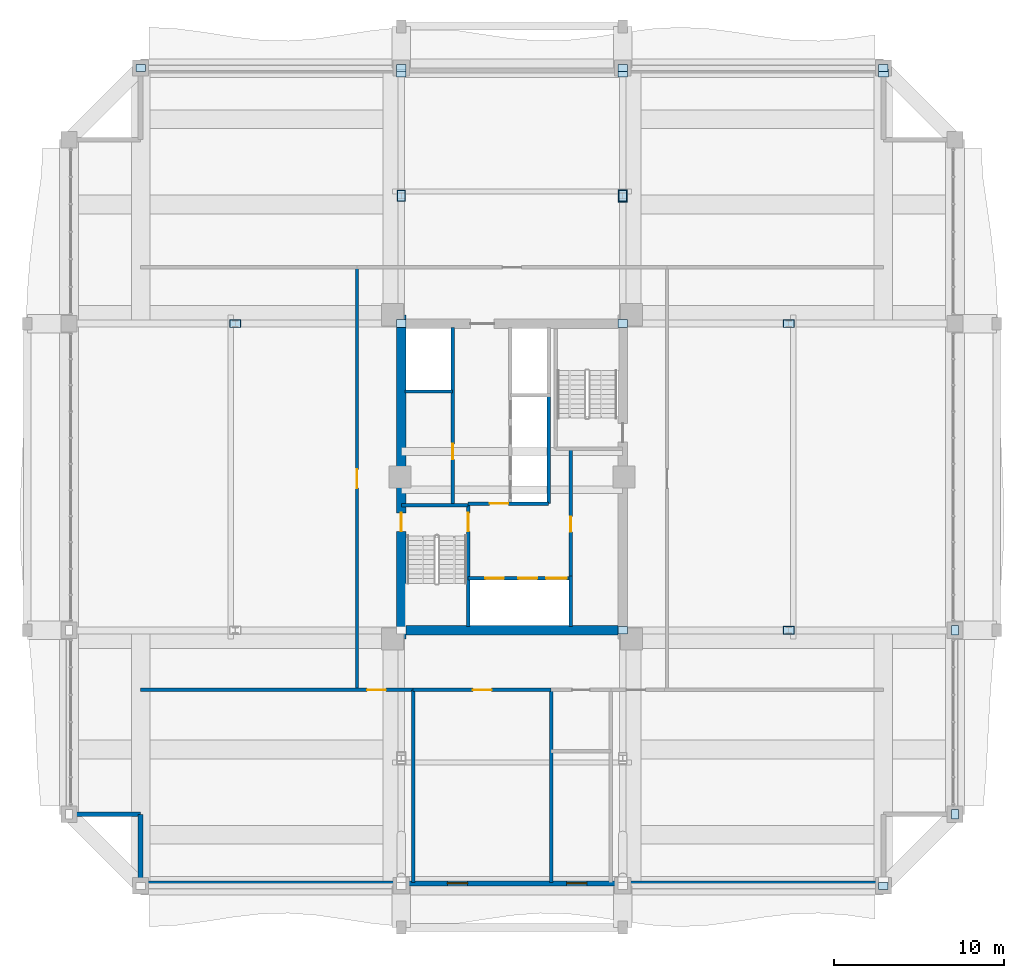
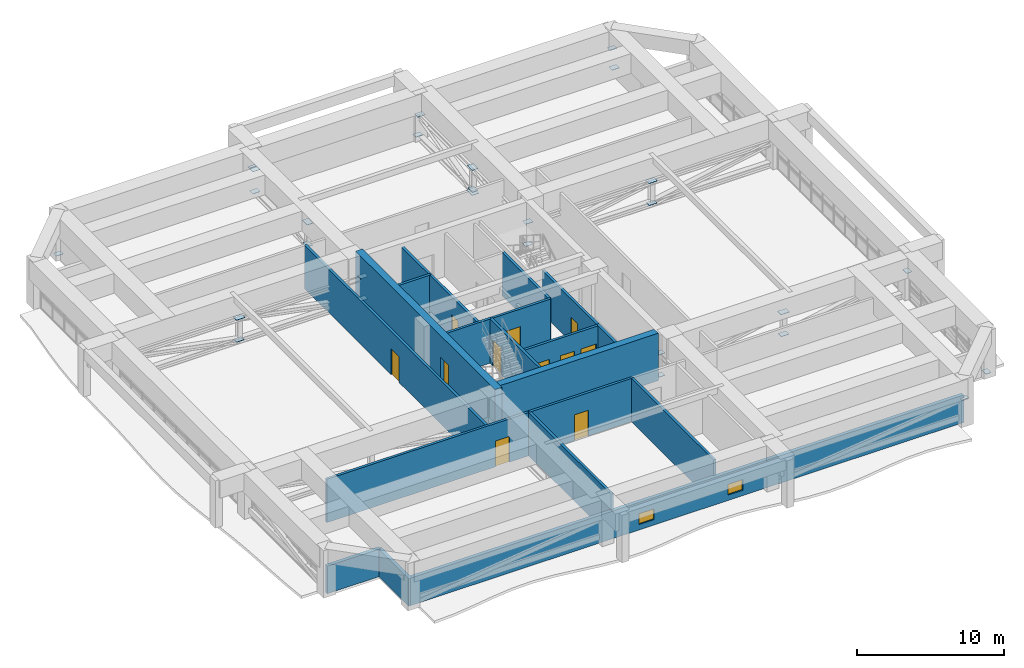
# One storey, part 28 of 35: 28 plates, 19 walls, 11 doors, 2 windows, 13 openings.
"""IFC4 building model written with IfcOpenShell, lengths in metres."""

from ifc_helpers import new_model, si_unit, direction, frame, frame_2d, origin, origin_2d, place, context, subcontext, project, spatial, rectangle, extrude, source, transform, mapped, material, layer, layer_set, type_object, element, fill, save


model = new_model("IFC4")

# Units and contexts
model_context = context("Model", 3, precision=1e-05, world=origin(), true_north=direction((0.0, 1.0)))
body_context = subcontext(model_context, "Body", "Model", "MODEL_VIEW")
ifc_project = project(units=[si_unit("LENGTHUNIT", "METRE"), si_unit("AREAUNIT", "SQUARE_METRE"), si_unit("VOLUMEUNIT", "CUBIC_METRE"), si_unit("PLANEANGLEUNIT", "RADIAN"), si_unit("MASSUNIT", "GRAM", prefix="KILO")], contexts=[model_context])

# Site, building, storey
site_placement = place(None, origin())
site = spatial("IfcSite", under=ifc_project, at=site_placement, CompositionType="ELEMENT")
building_placement = place(site_placement, origin())
building = spatial("IfcBuilding", under=site, at=building_placement, Name="Saelheon Loggia Tower", CompositionType="ELEMENT")
storey_placement = place(building_placement, frame((0.0, 0.0, 144.75)))
storey = spatial("IfcBuildingStorey", under=building, at=storey_placement, Name="L46", CompositionType="ELEMENT", Elevation=144.75)

# Plates
ifc_material_1 = material(Name="Steel SM355", Category="steel")
ifc_layer_1 = layer(ifc_material_1, 0.028076171875)
ifc_layer_set_1 = layer_set([ifc_layer_1], Name="Steel SM355")
plate_type_1 = type_object("IfcPlateType", Name="Plate_Gusset_GS1", PredefinedType="SHEET", material=ifc_layer_set_1)
shared_shape_1 = source(origin(), body_context, "Body", "SweptSolid", [
    extrude(rectangle(XDim=0.679931640625, YDim=0.47998046875, at=origin_2d()), origin(), (0.0, 0.0, 1.0), 0.028076171875),
])
for number, where, z_axis, x_axis, name in (
    (1, (31.5, 43.5, 2.05615234375), (0.0, 0.0, 1.0), (0.0, 1.0, 0.0), "L46 Outrigger Node Gusset NW-N"),
    (2, (44.5, 43.5, 2.05615234375), (0.0, 0.0, 1.0), (0.0, 1.0, 0.0), "L46 Outrigger Node Gusset NE-N"),
    (3, (21.75, 36.0, 2.05615234375), (0.0, 0.0, 1.0), (1.0, 0.0, 0.0), "L46 Outrigger Node Gusset NW-W"),
    (4, (54.25, 18.0, 2.05615234375), (0.0, 0.0, 1.0), (1.0, 0.0, 0.0), "L46 Outrigger Node Gusset SE-E"),
    (5, (54.25, 36.0, 2.05615234375), (0.0, 0.0, 1.0), (1.0, 0.0, 0.0), "L46 Outrigger Node Gusset NE-E"),
):
    element("IfcPlate", number, at=place(storey_placement, frame(where, z_axis=z_axis, x_axis=x_axis)), inside=storey, type_object=plate_type_1, Name=name, PredefinedType="SHEET", context=body_context, shape_type="MappedRepresentation", body=[
        mapped(shared_shape_1, transform((0.0, 0.0, 0.0), scale=1.0)),
    ])
ifc_layer_2 = layer(ifc_material_1, 0.031982421875)
ifc_layer_set_2 = layer_set([ifc_layer_2], Name="Steel SM355")
plate_type_2 = type_object("IfcPlateType", Name="Outrigger_BasePlate_BP2", PredefinedType="USERDEFINED", material=ifc_layer_set_2)
shared_shape_2 = source(origin(), body_context, "Body", "SweptSolid", [
    extrude(rectangle(XDim=0.760009765625, YDim=0.5400390625, at=origin_2d()), origin(), (0.0, 0.0, 1.0), 0.031982421875),
])
plate_placement = place(storey_placement, frame((44.5, 43.5, 0.0), z_axis=(0.0, 0.0, 1.0), x_axis=(0.0, 1.0, 0.0)))
element("IfcPlate", 6, at=plate_placement, inside=storey, type_object=plate_type_2, Name="L46 Outrigger Post Base Plate NE-N", ObjectType="BASE_PLATE", PredefinedType="USERDEFINED", context=body_context, shape_type="MappedRepresentation", body=[
    mapped(shared_shape_2, transform((0.0, 0.0, 0.0), scale=1.0)),
])
ifc_layer_3 = layer(ifc_material_1, 0.02587890625)
ifc_layer_set_3 = layer_set([ifc_layer_3], Name="Steel SM355")
plate_type_3 = type_object("IfcPlateType", Name="Plate_Embed_EP1", PredefinedType="SHEET", material=ifc_layer_set_3)
shared_shape_3 = source(origin(), body_context, "Body", "SweptSolid", [
    extrude(rectangle(XDim=0.580078125, YDim=0.4599609375, at=origin_2d()), origin(), (0.0, 0.0, 1.0), 0.02587890625),
])
for number, where, z_axis, x_axis, name in (
    (7, (44.5, 18.0, 0.20703125), (0.0, 0.0, 1.0), (1.0, 0.0, 0.0), "L46 Core Wall Outrigger Cast-In Embed Plate SE-B"),
    (8, (44.5, 18.0, 2.05712890625), (0.0, 0.0, 1.0), (1.0, 0.0, 0.0), "L46 Core Wall Outrigger Cast-In Embed Plate SE-T"),
    (9, (31.5, 36.0, 0.20703125), (0.0, 0.0, 1.0), (1.0, 0.0, 0.0), "L46 Core Wall Outrigger Cast-In Embed Plate NW-B"),
    (10, (31.5, 36.0, 2.05712890625), (0.0, 0.0, 1.0), (1.0, 0.0, 0.0), "L46 Core Wall Outrigger Cast-In Embed Plate NW-T"),
    (11, (44.5, 36.0, 0.20703125), (0.0, 0.0, 1.0), (1.0, 0.0, 0.0), "L46 Core Wall Outrigger Cast-In Embed Plate NE-B"),
    (12, (44.5, 36.0, 2.05712890625), (0.0, 0.0, 1.0), (1.0, 0.0, 0.0), "L46 Core Wall Outrigger Cast-In Embed Plate NE-T"),
    (13, (31.5, 50.719970703125, 0.20703125), (0.0, 0.0, 1.0), (1.0, 0.0, 0.0), "L46 Perimeter Wall Outrigger Embed Plate NW-B"),
    (14, (44.5, 50.719970703125, 2.05712890625), (0.0, 0.0, 1.0), (1.0, 0.0, 0.0), "L46 Perimeter Wall Outrigger Embed Plate NE-T"),
    (15, (31.5, 50.719970703125, 2.05712890625), (0.0, 0.0, 1.0), (1.0, 0.0, 0.0), "L46 Perimeter Wall Outrigger Embed Plate NW-T"),
    (16, (59.800048828125, 50.719970703125, 0.607177734375), (0.0, 0.0, 1.0), (1.0, 0.0, 0.0), "L46 Perimeter Wall Outrigger Embed Plate BN2-E"),
):
    element("IfcPlate", number, at=place(storey_placement, frame(where, z_axis=z_axis, x_axis=x_axis)), inside=storey, type_object=plate_type_3, Name=name, PredefinedType="SHEET", context=body_context, shape_type="MappedRepresentation", body=[
        mapped(shared_shape_3, transform((0.0, 0.0, 0.0), scale=1.0)),
    ])
ifc_layer_4 = layer(ifc_material_1, 0.02490234375)
ifc_layer_set_4 = layer_set([ifc_layer_4], Name="Steel SM355")
plate_type_4 = type_object("IfcPlateType", Name="Plate_EndCap_FP1", PredefinedType="USERDEFINED", material=ifc_layer_set_4)
shared_shape_4 = source(origin(), body_context, "Body", "SweptSolid", [
    extrude(rectangle(XDim=0.56005859375, YDim=0.419921875, at=origin_2d()), origin(), (0.0, 0.0, 1.0), 0.02490234375),
])
for number, where, z_axis, x_axis, name in (
    (17, (59.800048828125, 3.0, 2.0576171875), (0.0, 0.0, 1.0), (1.0, 0.0, 0.0), "L46 Hollow End Cap Plate BS2 B"),
    (18, (16.199951171875, 51.0, 0.20751953125), (0.0, 0.0, 1.0), (1.0, 0.0, 0.0), "L46 Hollow End Cap Plate BN1 A"),
    (19, (31.5, 51.0, 2.0576171875), (0.0, 0.0, 1.0), (1.0, 0.0, 0.0), "L46 Hollow End Cap Plate BN1 B"),
    (20, (44.5, 51.0, 0.20751953125), (0.0, 0.0, 1.0), (1.0, 0.0, 0.0), "L46 Hollow End Cap Plate BN2 A"),
    (21, (59.800048828125, 51.0, 2.0576171875), (0.0, 0.0, 1.0), (1.0, 0.0, 0.0), "L46 Hollow End Cap Plate BN2 B"),
    (22, (64.0, 7.199951171875, 0.20751953125), (0.0, 0.0, 1.0), (0.0, 1.0, 0.0), "L46 Hollow End Cap Plate BE1 A"),
    (23, (64.0, 18.0, 2.0576171875), (0.0, 0.0, 1.0), (0.0, 1.0, 0.0), "L46 Hollow End Cap Plate BE1 B"),
):
    element("IfcPlate", number, at=place(storey_placement, frame(where, z_axis=z_axis, x_axis=x_axis)), inside=storey, type_object=plate_type_4, Name=name, ObjectType="FLANGE_PLATE", PredefinedType="USERDEFINED", context=body_context, shape_type="MappedRepresentation", body=[
        mapped(shared_shape_4, transform((0.0, 0.0, 0.0), scale=1.0)),
    ])
ifc_layer_5 = layer(ifc_material_1, 0.030029296875)
ifc_layer_set_5 = layer_set([ifc_layer_5], Name="Steel SM355")
plate_type_5 = type_object("IfcPlateType", Name="Plate_Splice_SP2", PredefinedType="USERDEFINED", material=ifc_layer_set_5)
shared_shape_5 = source(origin(), body_context, "Body", "SweptSolid", [
    extrude(rectangle(XDim=0.6201171875, YDim=0.43994140625, at=origin_2d()), origin(), (0.0, 0.0, 1.0), 0.030029296875),
])
for number, where, z_axis, x_axis, name in (
    (24, (31.5, 43.5, 0.205078125), (0.0, 0.0, 1.0), (0.0, 1.0, 0.0), "L46 Outrigger Stiffener Plate NW-N"),
    (25, (44.5, 43.5, 0.205078125), (0.0, 0.0, 1.0), (0.0, 1.0, 0.0), "L46 Outrigger Stiffener Plate NE-N"),
    (26, (21.75, 36.0, 0.205078125), (0.0, 0.0, 1.0), (1.0, 0.0, 0.0), "L46 Outrigger Stiffener Plate NW-W"),
    (27, (54.25, 18.0, 0.205078125), (0.0, 0.0, 1.0), (1.0, 0.0, 0.0), "L46 Outrigger Stiffener Plate SE-E"),
    (28, (54.25, 36.0, 0.205078125), (0.0, 0.0, 1.0), (1.0, 0.0, 0.0), "L46 Outrigger Stiffener Plate NE-E"),
):
    element("IfcPlate", number, at=place(storey_placement, frame(where, z_axis=z_axis, x_axis=x_axis)), inside=storey, type_object=plate_type_5, Name=name, ObjectType="STIFFENER_PLATE", PredefinedType="USERDEFINED", context=body_context, shape_type="MappedRepresentation", body=[
        mapped(shared_shape_5, transform((0.0, 0.0, 0.0), scale=1.0)),
    ])

# Wall, opening, door
ifc_material_2 = material(Name="Concrete C50/60", Category="concrete")
ifc_layer_6 = layer(ifc_material_2, 0.550048828125)
ifc_layer_set_6 = layer_set([ifc_layer_6], Name="Concrete C50/60")
wall_type_1 = type_object("IfcWallType", Name="Wall_CoreShear_550", PredefinedType="SHEAR", material=ifc_layer_set_6)
wall_1_placement = place(storey_placement, frame((31.5, 17.47998046875, 0.0), z_axis=(0.0, 0.0, 1.0), x_axis=(0.0, 1.0, 0.0)))
wall_1 = element("IfcWall", 29, at=wall_1_placement, inside=storey, type_object=wall_type_1, Name="L46 Core Shear Wall West", PredefinedType="SHEAR", context=body_context, shape_type="SweptSolid", body=[
    extrude(rectangle(XDim=19.0400390625, YDim=0.550048828125, at=frame_2d((9.52001953125, 0.0))), origin(), (0.0, 0.0, 1.0), 3.949951171875),
])
opening_1_placement = place(wall_1_placement, frame((6.320068359375, 0.0, 0.0)))
opening_1 = element("IfcOpeningElement", 30, at=opening_1_placement, cuts=wall_1, Name="Opening D-FD2", PredefinedType="OPENING", context=body_context, shape_type="SweptSolid", body=[
    extrude(rectangle(XDim=1.10009765625, YDim=2.14990234375, at=frame_2d((0.550048828125, 1.074951171875))), frame((0.0, 0.287109375, 0.0), z_axis=(0.0, -1.0, 0.0), x_axis=(1.0, 0.0, 0.0)), (0.0, 0.0, 1.0), 0.573974609375),
])
ifc_material_3 = material(Name="Galvanised Steel Fire Door", Category="steel")
door_type_1 = type_object("IfcDoorType", Name="Door_Fire_FD60_1100", OperationType="NOTDEFINED", PredefinedType="DOOR", material=ifc_material_3)
shared_shape_6 = source(origin(), body_context, "Body", "SweptSolid", [
    extrude(rectangle(XDim=1.10009765625, YDim=2.14990234375, at=frame_2d((0.550048828125, 1.074951171875))), frame((0.0, 0.02490234375, 0.0), z_axis=(0.0, -1.0, 0.0), x_axis=(1.0, 0.0, 0.0)), (0.0, 0.0, 1.0), 0.050048828125),
])
door_1_placement = place(opening_1_placement, origin())
door_1 = element("IfcDoor", 31, at=door_1_placement, inside=storey, type_object=door_type_1, Name="L46 Stair ST1 Corridor Door", OperationType="SINGLE_SWING_LEFT", OverallHeight=2.14990234375, OverallWidth=1.10009765625, PredefinedType="DOOR", context=body_context, shape_type="MappedRepresentation", body=[
    mapped(shared_shape_6, transform((0.0, 0.0, 0.0), scale=1.0)),
])
fill(opening_1, door_1)

# Wall
wall_2_placement = place(storey_placement, frame((31.77490234375, 18.0, 0.0), z_axis=(0.0, 0.0, 1.0), x_axis=(1.0, 0.0, 0.0)))
element("IfcWall", 32, at=wall_2_placement, inside=storey, type_object=wall_type_1, Name="L46 Core Shear Wall South", PredefinedType="SHEAR", context=body_context, shape_type="SweptSolid", body=[
    extrude(rectangle(XDim=12.4501953125, YDim=0.550048828125, at=frame_2d((6.22509765625, 0.0))), origin(), (0.0, 0.0, 1.0), 3.949951171875),
])

# Wall, openings, windows
ifc_material_4 = material(Name="Architectural Precast Concrete C40/50", Category="concrete")
ifc_layer_7 = layer(ifc_material_4, 0.280029296875)
ifc_layer_set_7 = layer_set([ifc_layer_7], Name="Architectural Precast Concrete C40/50")
wall_type_2 = type_object("IfcWallType", Name="Wall_Ext_Loggia_280", PredefinedType="SOLIDWALL", material=ifc_layer_set_7)
wall_3_placement = place(storey_placement, frame((16.199951171875, 3.139892578125, 0.0), z_axis=(0.0, 0.0, 1.0), x_axis=(1.0, 0.0, 0.0)))
wall_3 = element("IfcWall", 33, at=wall_3_placement, inside=storey, type_object=wall_type_2, Name="L46 Refuge South Wall", PredefinedType="SOLIDWALL", context=body_context, shape_type="SweptSolid", body=[
    extrude(rectangle(XDim=43.60009765625, YDim=0.280029296875, at=frame_2d((21.800048828125, 0.0))), origin(), (0.0, 0.0, 1.0), 2.2900390625),
])
opening_2_placement = place(wall_3_placement, frame((18.0, 0.0, 0.449951171875)))
opening_2 = element("IfcOpeningElement", 34, at=opening_2_placement, cuts=wall_3, Name="Opening WN-07", PredefinedType="OPENING", context=body_context, shape_type="SweptSolid", body=[
    extrude(rectangle(XDim=1.199951171875, YDim=0.89990234375, at=frame_2d((0.60009765625, 0.449951171875))), frame((0.0, 0.152099609375, 0.0), z_axis=(0.0, -1.0, 0.0), x_axis=(1.0, 0.0, 0.0)), (0.0, 0.0, 1.0), 0.303955078125),
])
opening_3_placement = place(wall_3_placement, frame((25.0, 0.0, 0.449951171875)))
opening_3 = element("IfcOpeningElement", 35, at=opening_3_placement, cuts=wall_3, Name="Opening WN-07", PredefinedType="OPENING", context=body_context, shape_type="SweptSolid", body=[
    extrude(rectangle(XDim=1.199951171875, YDim=0.89990234375, at=frame_2d((0.60009765625, 0.449951171875))), frame((0.0, 0.152099609375, 0.0), z_axis=(0.0, -1.0, 0.0), x_axis=(1.0, 0.0, 0.0)), (0.0, 0.0, 1.0), 0.303955078125),
])
ifc_material_5 = material(Name="Thermal-Break Aluminium and Triple Low-E Glass", Category="aluminium")
window_type = type_object("IfcWindowType", Name="Win_Clerestory_1200x900", PartitioningType="SINGLE_PANEL", PredefinedType="WINDOW", material=ifc_material_5)
shared_shape_7 = source(origin(), body_context, "Body", "SweptSolid", [
    extrude(rectangle(XDim=1.199951171875, YDim=0.89990234375, at=frame_2d((0.60009765625, 0.449951171875))), frame((0.0, 0.030029296875, 0.0), z_axis=(0.0, -1.0, 0.0), x_axis=(1.0, 0.0, 0.0)), (0.0, 0.0, 1.0), 0.06005859375),
])
window_1_placement = place(opening_2_placement, origin())
window_1 = element("IfcWindow", 36, at=window_1_placement, inside=storey, type_object=window_type, Name="L46 Refuge Area Window 1", OverallHeight=0.89990234375, OverallWidth=1.199951171875, PartitioningType="SINGLE_PANEL", PredefinedType="WINDOW", context=body_context, shape_type="MappedRepresentation", body=[
    mapped(shared_shape_7, transform((0.0, 0.0, 0.0), scale=1.0)),
])
fill(opening_2, window_1)
window_2_placement = place(opening_3_placement, origin())
window_2 = element("IfcWindow", 37, at=window_2_placement, inside=storey, type_object=window_type, Name="L46 Refuge Area Window 2", OverallHeight=0.89990234375, OverallWidth=1.199951171875, PartitioningType="SINGLE_PANEL", PredefinedType="WINDOW", context=body_context, shape_type="MappedRepresentation", body=[
    mapped(shared_shape_7, transform((0.0, 0.0, 0.0), scale=1.0)),
])
fill(opening_3, window_2)

# Walls
for number, where, z_axis, x_axis, name in (
    (38, (16.199951171875, 3.0, 0.0), (0.0, 0.0, 1.0), (0.0, 1.0, 0.0), "L46 Notch Wall SW1"),
    (39, (12.0, 7.199951171875, 0.0), (0.0, 0.0, 1.0), (1.0, 0.0, 0.0), "L46 Notch Wall SW2"),
):
    element("IfcWall", number, at=place(storey_placement, frame(where, z_axis=z_axis, x_axis=x_axis)), inside=storey, type_object=wall_type_2, Name=name, PredefinedType="SOLIDWALL", context=body_context, shape_type="SweptSolid", body=[
        extrude(rectangle(XDim=4.199951171875, YDim=0.280029296875, at=frame_2d((2.10009765625, 0.0))), origin(), (0.0, 0.0, 1.0), 2.2900390625),
    ])
ifc_material_6 = material(Name="Concrete C40/50", Category="concrete")
ifc_layer_8 = layer(ifc_material_6, 0.199951171875)
ifc_layer_set_8 = layer_set([ifc_layer_8], Name="Concrete C40/50")
wall_type_3 = type_object("IfcWallType", Name="Wall_Shaft_200", PredefinedType="PARTITIONING", material=ifc_layer_set_8)
wall_4_placement = place(storey_placement, frame((41.449951171875, 18.219970703125, 0.0), z_axis=(0.0, 0.0, 1.0), x_axis=(0.0, 1.0, 0.0)))
element("IfcWall", 40, at=wall_4_placement, inside=storey, type_object=wall_type_3, Name="CW-INT-L46-BOH-W0", PredefinedType="PARTITIONING", context=body_context, shape_type="SweptSolid", body=[
    extrude(rectangle(XDim=2.9599609375, YDim=0.199951171875, at=frame_2d((1.47998046875, 0.0))), origin(), (0.0, 0.0, 1.0), 3.610107421875),
])

# Wall, opening, door
wall_5_placement = place(storey_placement, frame((41.449951171875, 21.179931640625, 0.0), z_axis=(0.0, 0.0, 1.0), x_axis=(0.0, 1.0, 0.0)))
wall_5 = element("IfcWall", 41, at=wall_5_placement, inside=storey, type_object=wall_type_3, Name="CW-INT-L46-BOH-W1", PredefinedType="PARTITIONING", context=body_context, shape_type="SweptSolid", body=[
    extrude(rectangle(XDim=7.420166015625, YDim=0.199951171875, at=frame_2d((3.7099609375, 0.0))), origin(), (0.0, 0.0, 1.0), 3.610107421875),
])
opening_4_placement = place(wall_5_placement, frame((2.60009765625, 0.0, 0.0)))
opening_4 = element("IfcOpeningElement", 42, at=opening_4_placement, cuts=wall_5, Name="Opening D-RS1", PredefinedType="OPENING", context=body_context, shape_type="SweptSolid", body=[
    extrude(rectangle(XDim=0.89990234375, YDim=2.10009765625, at=frame_2d((0.449951171875, 1.050048828125))), frame((0.0, 0.112060546875, 0.0), z_axis=(0.0, -1.0, 0.0), x_axis=(1.0, 0.0, 0.0)), (0.0, 0.0, 1.0), 0.223876953125),
])
ifc_material_7 = material(Name="Galvanised Steel Riser Access Door", Category="steel")
door_type_2 = type_object("IfcDoorType", Name="Door_Riser_FD60", OperationType="NOTDEFINED", PredefinedType="DOOR", material=ifc_material_7)
shared_shape_8 = source(origin(), body_context, "Body", "SweptSolid", [
    extrude(rectangle(XDim=0.89990234375, YDim=2.10009765625, at=frame_2d((0.449951171875, 1.050048828125))), frame((0.0, 0.02490234375, 0.0), z_axis=(0.0, -1.0, 0.0), x_axis=(1.0, 0.0, 0.0)), (0.0, 0.0, 1.0), 0.050048828125),
])
door_2_placement = place(opening_4_placement, origin())
door_2 = element("IfcDoor", 43, at=door_2_placement, inside=storey, type_object=door_type_2, Name="L46 Core Service Store Door", OperationType="SINGLE_SWING_RIGHT", OverallHeight=2.10009765625, OverallWidth=0.89990234375, PredefinedType="DOOR", context=body_context, shape_type="MappedRepresentation", body=[
    mapped(shared_shape_8, transform((0.0, 0.0, 0.0), scale=1.0)),
])
fill(opening_4, door_2)

# Wall
wall_6_placement = place(storey_placement, frame((40.14990234375, 25.43994140625, 0.0), z_axis=(0.0, 0.0, 1.0), x_axis=(0.0, 1.0, 0.0)))
element("IfcWall", 44, at=wall_6_placement, inside=storey, type_object=wall_type_3, Name="L46 Core Service Passage West Wall", PredefinedType="PARTITIONING", context=body_context, shape_type="SweptSolid", body=[
    extrude(rectangle(XDim=6.360107421875, YDim=0.199951171875, at=frame_2d((3.18017578125, 0.0))), origin(), (0.0, 0.0, 1.0), 3.610107421875),
])

# Wall, openings, doors
wall_7_placement = place(storey_placement, frame((35.429931640625, 21.06005859375, 0.0), z_axis=(0.0, 0.0, 1.0), x_axis=(1.0, 0.0, 0.0)))
wall_7 = element("IfcWall", 45, at=wall_7_placement, inside=storey, type_object=wall_type_3, Name="L46 Firefighting Lift Shaft Front Wall", PredefinedType="PARTITIONING", context=body_context, shape_type="SweptSolid", body=[
    extrude(rectangle(XDim=6.02001953125, YDim=0.199951171875, at=frame_2d((3.010009765625, 0.0))), origin(), (0.0, 0.0, 1.0), 3.610107421875),
])
opening_5_placement = place(wall_7_placement, frame((1.0, 0.0, 0.0)))
opening_5 = element("IfcOpeningElement", 46, at=opening_5_placement, cuts=wall_7, Name="Opening LD2", PredefinedType="OPENING", context=body_context, shape_type="SweptSolid", body=[
    extrude(rectangle(XDim=1.10009765625, YDim=2.14990234375, at=frame_2d((0.550048828125, 1.074951171875))), frame((0.0, 0.112060546875, 0.0), z_axis=(0.0, -1.0, 0.0), x_axis=(1.0, 0.0, 0.0)), (0.0, 0.0, 1.0), 0.223876953125),
])
opening_6_placement = place(wall_7_placement, frame((2.949951171875, 0.0, 0.0)))
opening_6 = element("IfcOpeningElement", 47, at=opening_6_placement, cuts=wall_7, Name="Opening LD2", PredefinedType="OPENING", context=body_context, shape_type="SweptSolid", body=[
    extrude(rectangle(XDim=1.10009765625, YDim=2.14990234375, at=frame_2d((0.550048828125, 1.074951171875))), frame((0.0, 0.112060546875, 0.0), z_axis=(0.0, -1.0, 0.0), x_axis=(1.0, 0.0, 0.0)), (0.0, 0.0, 1.0), 0.223876953125),
])
opening_7_placement = place(wall_7_placement, frame((4.580078125, 0.0, 0.0)))
opening_7 = element("IfcOpeningElement", 48, at=opening_7_placement, cuts=wall_7, Name="Opening LD3", PredefinedType="OPENING", context=body_context, shape_type="SweptSolid", body=[
    extrude(rectangle(XDim=1.199951171875, YDim=2.14990234375, at=frame_2d((0.60009765625, 1.074951171875))), frame((0.0, 0.112060546875, 0.0), z_axis=(0.0, -1.0, 0.0), x_axis=(1.0, 0.0, 0.0)), (0.0, 0.0, 1.0), 0.223876953125),
])
ifc_material_8 = material(Name="Firefighting Stainless Steel 316 Landing Door", Category="steel")
door_type_3 = type_object("IfcDoorType", Name="Door_Lift_LD2", OperationType="DOUBLE_DOOR_SLIDING", PredefinedType="DOOR", material=ifc_material_8)
door_3_placement = place(opening_5_placement, origin())
door_3 = element("IfcDoor", 49, at=door_3_placement, inside=storey, type_object=door_type_3, Name="L46 FF1 Landing Door", OperationType="DOUBLE_DOOR_SLIDING", OverallHeight=2.14990234375, OverallWidth=1.10009765625, PredefinedType="DOOR", context=body_context, shape_type="MappedRepresentation", body=[
    mapped(shared_shape_6, transform((0.0, 0.0, 0.0), scale=1.0)),
])
fill(opening_5, door_3)
door_4_placement = place(opening_6_placement, origin())
door_4 = element("IfcDoor", 50, at=door_4_placement, inside=storey, type_object=door_type_3, Name="L46 FF2 Landing Door", OperationType="DOUBLE_DOOR_SLIDING", OverallHeight=2.14990234375, OverallWidth=1.10009765625, PredefinedType="DOOR", context=body_context, shape_type="MappedRepresentation", body=[
    mapped(shared_shape_6, transform((0.0, 0.0, 0.0), scale=1.0)),
])
fill(opening_6, door_4)
ifc_material_9 = material(Name="Stretcher Lift Stainless Steel 304 Landing Door", Category="steel")
door_type_4 = type_object("IfcDoorType", Name="Door_Lift_LD3", OperationType="DOUBLE_DOOR_SLIDING", PredefinedType="DOOR", material=ifc_material_9)
shared_shape_9 = source(origin(), body_context, "Body", "SweptSolid", [
    extrude(rectangle(XDim=1.199951171875, YDim=2.14990234375, at=frame_2d((0.60009765625, 1.074951171875))), frame((0.0, 0.02490234375, 0.0), z_axis=(0.0, -1.0, 0.0), x_axis=(1.0, 0.0, 0.0)), (0.0, 0.0, 1.0), 0.050048828125),
])
door_5_placement = place(opening_7_placement, origin())
door_5 = element("IfcDoor", 51, at=door_5_placement, inside=storey, type_object=door_type_4, Name="L46 SV1 Landing Door", OperationType="DOUBLE_DOOR_SLIDING", OverallHeight=2.14990234375, OverallWidth=1.199951171875, PredefinedType="DOOR", context=body_context, shape_type="MappedRepresentation", body=[
    mapped(shared_shape_9, transform((0.0, 0.0, 0.0), scale=1.0)),
])
fill(opening_7, door_5)

# Wall, opening, door
wall_8_placement = place(storey_placement, frame((35.429931640625, 25.43994140625, 0.0), z_axis=(0.0, 0.0, 1.0), x_axis=(1.0, 0.0, 0.0)))
wall_8 = element("IfcWall", 52, at=wall_8_placement, inside=storey, type_object=wall_type_3, Name="L46 Firefighting Lobby Compartment Wall", PredefinedType="PARTITIONING", context=body_context, shape_type="SweptSolid", body=[
    extrude(rectangle(XDim=4.719970703125, YDim=0.199951171875, at=frame_2d((2.35986328125, 0.0))), origin(), (0.0, 0.0, 1.0), 3.610107421875),
])
opening_8_placement = place(wall_8_placement, frame((1.25, 0.0, 0.0)))
opening_8 = element("IfcOpeningElement", 53, at=opening_8_placement, cuts=wall_8, Name="Opening D-FD2", PredefinedType="OPENING", context=body_context, shape_type="SweptSolid", body=[
    extrude(rectangle(XDim=1.10009765625, YDim=2.14990234375, at=frame_2d((0.550048828125, 1.074951171875))), frame((0.0, 0.112060546875, 0.0), z_axis=(0.0, -1.0, 0.0), x_axis=(1.0, 0.0, 0.0)), (0.0, 0.0, 1.0), 0.223876953125),
])
door_6_placement = place(opening_8_placement, origin())
door_6 = element("IfcDoor", 54, at=door_6_placement, inside=storey, type_object=door_type_1, Name="L46 Firefighting Lobby Door", OperationType="SINGLE_SWING_LEFT", OverallHeight=2.14990234375, OverallWidth=1.10009765625, PredefinedType="DOOR", context=body_context, shape_type="MappedRepresentation", body=[
    mapped(shared_shape_6, transform((0.0, 0.0, 0.0), scale=1.0)),
])
fill(opening_8, door_6)

wall_9_placement = place(storey_placement, frame((34.52001953125, 25.43994140625, 0.0), z_axis=(0.0, 0.0, 1.0), x_axis=(0.0, 1.0, 0.0)))
wall_9 = element("IfcWall", 55, at=wall_9_placement, inside=storey, type_object=wall_type_3, Name="L46 West Passenger Lift Bank Wall", PredefinedType="PARTITIONING", context=body_context, shape_type="SweptSolid", body=[
    extrude(rectangle(XDim=10.340087890625, YDim=0.199951171875, at=frame_2d((5.169921875, 0.0))), origin(), (0.0, 0.0, 1.0), 3.610107421875),
])
opening_9_placement = place(wall_9_placement, frame((2.60009765625, 0.0, 0.0)))
opening_9 = element("IfcOpeningElement", 56, at=opening_9_placement, cuts=wall_9, Name="Opening D-RS1", PredefinedType="OPENING", context=body_context, shape_type="SweptSolid", body=[
    extrude(rectangle(XDim=0.89990234375, YDim=2.10009765625, at=frame_2d((0.449951171875, 1.050048828125))), frame((0.0, 0.112060546875, 0.0), z_axis=(0.0, -1.0, 0.0), x_axis=(1.0, 0.0, 0.0)), (0.0, 0.0, 1.0), 0.223876953125),
])
door_7_placement = place(opening_9_placement, origin())
door_7 = element("IfcDoor", 57, at=door_7_placement, inside=storey, type_object=door_type_2, Name="L46 Core Parcel Room Door", OperationType="SINGLE_SWING_LEFT", OverallHeight=2.10009765625, OverallWidth=0.89990234375, PredefinedType="DOOR", context=body_context, shape_type="MappedRepresentation", body=[
    mapped(shared_shape_8, transform((0.0, 0.0, 0.0), scale=1.0)),
])
fill(opening_9, door_7)

# Wall
wall_10_placement = place(storey_placement, frame((31.719970703125, 32.02001953125, 0.0), z_axis=(0.0, 0.0, 1.0), x_axis=(1.0, 0.0, 0.0)))
element("IfcWall", 58, at=wall_10_placement, inside=storey, type_object=wall_type_3, Name="L46 West High-Rise Shaft Divider", PredefinedType="PARTITIONING", context=body_context, shape_type="SweptSolid", body=[
    extrude(rectangle(XDim=2.800048828125, YDim=0.199951171875, at=frame_2d((1.39990234375, 0.0))), origin(), (0.0, 0.0, 1.0), 3.610107421875),
])

# Wall, opening, door
wall_11_placement = place(storey_placement, frame((16.199951171875, 14.5, 0.0), z_axis=(0.0, 0.0, 1.0), x_axis=(1.0, 0.0, 0.0)))
wall_11 = element("IfcWall", 59, at=wall_11_placement, inside=storey, type_object=wall_type_3, Name="PW-L46-RFG-SW", PredefinedType="PARTITIONING", context=body_context, shape_type="SweptSolid", body=[
    extrude(rectangle(XDim=16.0, YDim=0.199951171875, at=frame_2d((8.0, 0.0))), origin(), (0.0, 0.0, 1.0), 3.610107421875),
])
opening_10_placement = place(wall_11_placement, frame((13.300048828125, 0.0, 0.0)))
opening_10 = element("IfcOpeningElement", 60, at=opening_10_placement, cuts=wall_11, Name="Opening D-FD2", PredefinedType="OPENING", context=body_context, shape_type="SweptSolid", body=[
    extrude(rectangle(XDim=1.10009765625, YDim=2.14990234375, at=frame_2d((0.550048828125, 1.074951171875))), frame((0.0, 0.112060546875, 0.0), z_axis=(0.0, -1.0, 0.0), x_axis=(1.0, 0.0, 0.0)), (0.0, 0.0, 1.0), 0.223876953125),
])
door_8_placement = place(opening_10_placement, origin())
door_8 = element("IfcDoor", 61, at=door_8_placement, inside=storey, type_object=door_type_1, Name="L46 Plant Bay SW Door", OperationType="SINGLE_SWING_RIGHT", OverallHeight=2.14990234375, OverallWidth=1.10009765625, PredefinedType="DOOR", context=body_context, shape_type="MappedRepresentation", body=[
    mapped(shared_shape_6, transform((0.0, 0.0, 0.0), scale=1.0)),
])
fill(opening_10, door_8)

wall_12_placement = place(storey_placement, frame((32.199951171875, 14.5, 0.0), z_axis=(0.0, 0.0, 1.0), x_axis=(1.0, 0.0, 0.0)))
wall_12 = element("IfcWall", 62, at=wall_12_placement, inside=storey, type_object=wall_type_3, Name="PW-L46-RFG-SC1", PredefinedType="PARTITIONING", context=body_context, shape_type="SweptSolid", body=[
    extrude(rectangle(XDim=8.10009765625, YDim=0.199951171875, at=frame_2d((4.050048828125, 0.0))), origin(), (0.0, 0.0, 1.0), 3.610107421875),
])
opening_11_placement = place(wall_12_placement, frame((3.5, 0.0, 0.0)))
opening_11 = element("IfcOpeningElement", 63, at=opening_11_placement, cuts=wall_12, Name="Opening D-FD2", PredefinedType="OPENING", context=body_context, shape_type="SweptSolid", body=[
    extrude(rectangle(XDim=1.10009765625, YDim=2.14990234375, at=frame_2d((0.550048828125, 1.074951171875))), frame((0.0, 0.112060546875, 0.0), z_axis=(0.0, -1.0, 0.0), x_axis=(1.0, 0.0, 0.0)), (0.0, 0.0, 1.0), 0.223876953125),
])
door_9_placement = place(opening_11_placement, origin())
door_9 = element("IfcDoor", 64, at=door_9_placement, inside=storey, type_object=door_type_1, Name="L46 Refuge Area Entry Door", OperationType="SINGLE_SWING_LEFT", OverallHeight=2.14990234375, OverallWidth=1.10009765625, PredefinedType="DOOR", context=body_context, shape_type="MappedRepresentation", body=[
    mapped(shared_shape_6, transform((0.0, 0.0, 0.0), scale=1.0)),
])
fill(opening_11, door_9)

# Walls
for number, where, z_axis, x_axis, name in (
    (65, (32.199951171875, 3.199951171875, 0.0), (0.0, 0.0, 1.0), (0.0, 1.0, 0.0), "PW-L46-RFG-VL"),
    (66, (40.300048828125, 3.199951171875, 0.0), (0.0, 0.0, 1.0), (0.0, 1.0, 0.0), "PW-L46-RFG-VM"),
):
    element("IfcWall", number, at=place(storey_placement, frame(where, z_axis=z_axis, x_axis=x_axis)), inside=storey, type_object=wall_type_3, Name=name, PredefinedType="PARTITIONING", context=body_context, shape_type="SweptSolid", body=[
        extrude(rectangle(XDim=11.300048828125, YDim=0.199951171875, at=frame_2d((5.64990234375, 0.0))), origin(), (0.0, 0.0, 1.0), 3.610107421875),
    ])

# Wall, opening, door
wall_13_placement = place(storey_placement, frame((28.89990234375, 14.5, 0.0), z_axis=(0.0, 0.0, 1.0), x_axis=(0.0, 1.0, 0.0)))
wall_13 = element("IfcWall", 67, at=wall_13_placement, inside=storey, type_object=wall_type_3, Name="PW-L46-AHU-W", PredefinedType="PARTITIONING", context=body_context, shape_type="SweptSolid", body=[
    extrude(rectangle(XDim=24.800048828125, YDim=0.199951171875, at=frame_2d((12.39990234375, 0.0))), origin(), (0.0, 0.0, 1.0), 3.610107421875),
])
opening_12_placement = place(wall_13_placement, frame((11.85009765625, 0.0, 0.0)))
opening_12 = element("IfcOpeningElement", 68, at=opening_12_placement, cuts=wall_13, Name="Opening D-FD2", PredefinedType="OPENING", context=body_context, shape_type="SweptSolid", body=[
    extrude(rectangle(XDim=1.10009765625, YDim=2.14990234375, at=frame_2d((0.550048828125, 1.074951171875))), frame((0.0, 0.112060546875, 0.0), z_axis=(0.0, -1.0, 0.0), x_axis=(1.0, 0.0, 0.0)), (0.0, 0.0, 1.0), 0.223876953125),
])
door_10_placement = place(opening_12_placement, origin())
door_10 = element("IfcDoor", 69, at=door_10_placement, inside=storey, type_object=door_type_1, Name="L46 AHU Plant Room Door", OperationType="SINGLE_SWING_LEFT", OverallHeight=2.14990234375, OverallWidth=1.10009765625, PredefinedType="DOOR", context=body_context, shape_type="MappedRepresentation", body=[
    mapped(shared_shape_6, transform((0.0, 0.0, 0.0), scale=1.0)),
])
fill(opening_12, door_10)

ifc_material_10 = material(Name="Concrete C45/55", Category="concrete")
ifc_layer_9 = layer(ifc_material_10, 0.199951171875)
ifc_layer_set_9 = layer_set([ifc_layer_9], Name="Concrete C45/55")
wall_type_4 = type_object("IfcWallType", Name="Wall_StairShaft_RC200", PredefinedType="SOLIDWALL", material=ifc_layer_set_9)
wall_14_placement = place(storey_placement, frame((35.429931640625, 18.219970703125, 0.0), z_axis=(0.0, 0.0, 1.0), x_axis=(0.0, 1.0, 0.0)))
wall_14 = element("IfcWall", 70, at=wall_14_placement, inside=storey, type_object=wall_type_4, Name="L46 Stair ST1 Shaft Wall", PredefinedType="SOLIDWALL", context=body_context, shape_type="SweptSolid", body=[
    extrude(rectangle(XDim=7.219970703125, YDim=0.199951171875, at=frame_2d((3.60986328125, 0.0))), origin(), (0.0, 0.0, 1.0), 3.68994140625),
])
opening_13_placement = place(wall_14_placement, frame((6.68017578125, 0.0, 0.0), z_axis=(0.0, 0.0, 1.0), x_axis=(-1.0, 0.0, 0.0)))
opening_13 = element("IfcOpeningElement", 71, at=opening_13_placement, cuts=wall_14, Name="Opening D-FD2", PredefinedType="OPENING", context=body_context, shape_type="SweptSolid", body=[
    extrude(rectangle(XDim=1.10009765625, YDim=2.14990234375, at=frame_2d((0.550048828125, 1.074951171875))), frame((0.0, 0.112060546875, 0.0), z_axis=(0.0, -1.0, 0.0), x_axis=(1.0, 0.0, 0.0)), (0.0, 0.0, 1.0), 0.223876953125),
])
door_11_placement = place(opening_13_placement, origin())
door_11 = element("IfcDoor", 72, at=door_11_placement, inside=storey, type_object=door_type_1, Name="L46 Stair ST1 Lobby Door", OperationType="SINGLE_SWING_RIGHT", OverallHeight=2.14990234375, OverallWidth=1.10009765625, PredefinedType="DOOR", context=body_context, shape_type="MappedRepresentation", body=[
    mapped(shared_shape_6, transform((0.0, 0.0, 0.0), scale=1.0)),
])
fill(opening_13, door_11)

# Wall
wall_15_placement = place(storey_placement, frame((31.5, 25.35009765625, 0.0), z_axis=(0.0, 0.0, 1.0), x_axis=(1.0, 0.0, 0.0)))
element("IfcWall", 73, at=wall_15_placement, inside=storey, type_object=wall_type_4, Name="L46 Stair ST1 North Wall", PredefinedType="SOLIDWALL", context=body_context, shape_type="SweptSolid", body=[
    extrude(rectangle(XDim=3.929931640625, YDim=0.199951171875, at=frame_2d((1.96484375, 0.0))), origin(), (0.0, 0.0, 1.0), 3.68994140625),
])

save(model, "model.ifc")
